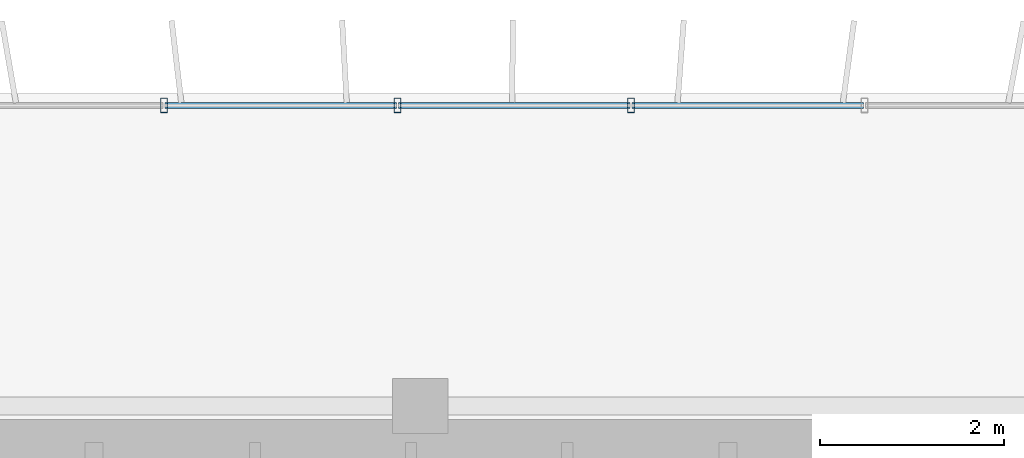
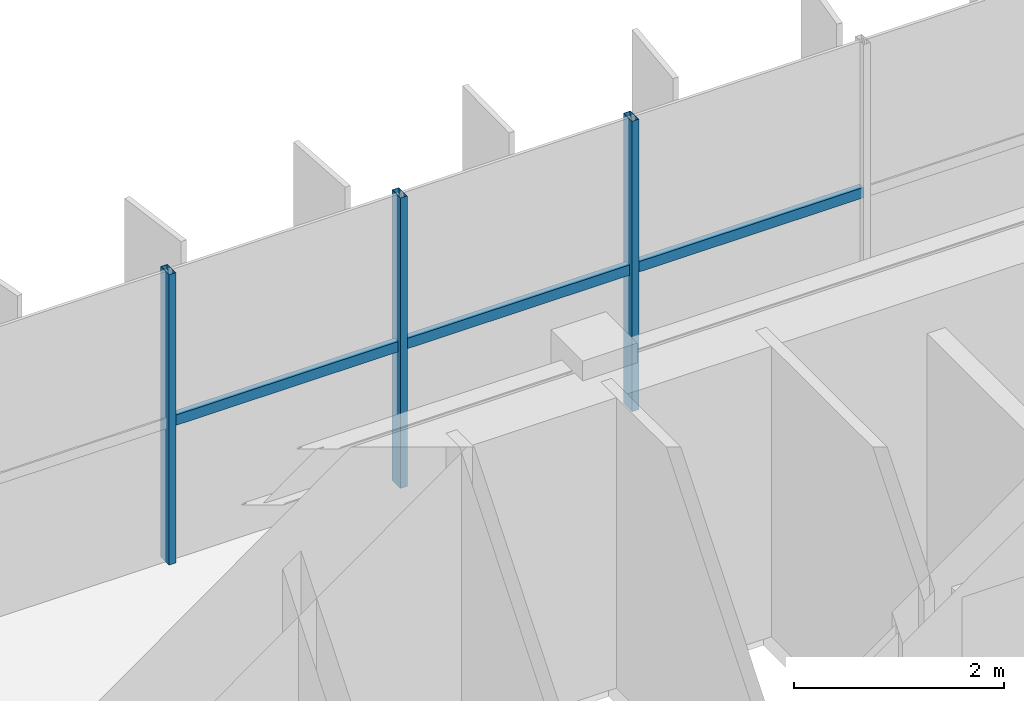
# One storey, part 11 of 22: 6 members, 1 element without a shape of its own.
"""IFC4 building model written with IfcOpenShell, lengths in metres."""

from ifc_helpers import new_model, si_unit, direction, frame, origin, origin_2d, place, context, subcontext, project, spatial, hollow_rectangle, extrude, source, transform, mapped, material, material_profile, profile_set, type_object, element, aggregate, save


model = new_model("IFC4")

# Units and contexts
model_context = context("Model", 3, precision=1e-05, world=origin(), true_north=direction((0.0, 1.0)))
body_context = subcontext(model_context, "Body", "Model", "MODEL_VIEW")
ifc_project = project(units=[si_unit("LENGTHUNIT", "METRE"), si_unit("AREAUNIT", "SQUARE_METRE"), si_unit("VOLUMEUNIT", "CUBIC_METRE"), si_unit("PLANEANGLEUNIT", "RADIAN"), si_unit("MASSUNIT", "GRAM", prefix="KILO")], contexts=[model_context])

# Site, building, storey
site_placement = place(None, origin())
site = spatial("IfcSite", under=ifc_project, at=site_placement, CompositionType="ELEMENT")
building_placement = place(site_placement, origin())
building = spatial("IfcBuilding", under=site, at=building_placement, Name="Trelvane Seafront Commons", CompositionType="ELEMENT")
storey_placement = place(building_placement, frame((0.0, 0.0, 273.89990234375)))
storey = spatial("IfcBuildingStorey", under=building, at=storey_placement, Name="L71", CompositionType="ELEMENT", Elevation=273.89990234375)

# Curtain wall, members
ifc_material = material(Name="Anodised pale-silver aluminium", Category="aluminium")
curtain_wall_type = type_object("IfcCurtainWallType", Name="ARCH-CW5-UPTOWER", PredefinedType="NOTDEFINED", material=ifc_material)
curtain_wall_placement = place(storey_placement, origin())
curtain_wall = element("IfcCurtainWall", 1, at=curtain_wall_placement, inside=storey, type_object=curtain_wall_type, Name="CW-L71-0115", PredefinedType="NOTDEFINED")
ifc_material_profile_1 = material_profile(ifc_material, hollow_rectangle(XDim=0.070068359375, YDim=0.1201171875, WallThickness=0.00390625, at=origin_2d()), Name="TRAN-70x120x4")
ifc_profile_set_1 = profile_set([ifc_material_profile_1], Name="Anodised pale-silver aluminium")
member_type_1 = type_object("IfcMemberType", Name="ARCH-CW-TRAN-120", PredefinedType="USERDEFINED", material=ifc_profile_set_1)
shared_shape_1 = source(origin(), body_context, "Body", "SweptSolid", [
    extrude(hollow_rectangle(XDim=0.070068359375, YDim=0.1201171875, WallThickness=0.00390625, at=origin_2d()), origin(), (0.0, 0.0, 1.0), 2.51708984375),
])
member_1_placement = place(storey_placement, frame((43.56494140625, 48.3701171875, 1.6181640625), z_axis=(1.0, 0.0, 0.0), x_axis=(0.0, 1.0, 0.0)))
member_1 = element("IfcMember", 2, at=member_1_placement, type_object=member_type_1, Name="CW-L71-0115-T11", ObjectType="TRANSOM", PredefinedType="USERDEFINED", context=body_context, shape_type="MappedRepresentation", body=[
    mapped(shared_shape_1, transform((0.0, 0.0, 0.0), x_axis=(1.0, 0.0, 0.0), y_axis=(0.0, 1.0, 0.0), z_axis=(0.0, 0.0, 1.0), scale=1.0)),
])
member_2_placement = place(storey_placement, frame((46.106201171875, 48.3701171875, 1.6181640625), z_axis=(1.0, 0.0, 0.0), x_axis=(0.0, 1.0, 0.0)))
member_2 = element("IfcMember", 3, at=member_2_placement, type_object=member_type_1, Name="CW-L71-0115-T12", ObjectType="TRANSOM", PredefinedType="USERDEFINED", context=body_context, shape_type="MappedRepresentation", body=[
    mapped(shared_shape_1, transform((0.0, 0.0, 0.0), x_axis=(1.0, 0.0, 0.0), y_axis=(0.0, 1.0, 0.0), z_axis=(0.0, 0.0, 1.0), scale=1.0)),
])
shared_shape_2 = source(origin(), body_context, "Body", "SweptSolid", [
    extrude(hollow_rectangle(XDim=0.070068359375, YDim=0.1201171875, WallThickness=0.00390625, at=origin_2d()), origin(), (0.0, 0.0, 1.0), 2.517333984375),
])
member_3_placement = place(storey_placement, frame((41.023681640625, 48.3701171875, 1.6181640625), z_axis=(1.0, 0.0, 0.0), x_axis=(0.0, 1.0, 0.0)))
member_3 = element("IfcMember", 4, at=member_3_placement, type_object=member_type_1, Name="CW-L71-0115-T10", ObjectType="TRANSOM", PredefinedType="USERDEFINED", context=body_context, shape_type="MappedRepresentation", body=[
    mapped(shared_shape_2, transform((0.0, 0.0, 0.0), x_axis=(1.0, 0.0, 0.0), y_axis=(0.0, 1.0, 0.0), z_axis=(0.0, 0.0, 1.0), scale=1.0)),
])
ifc_material_profile_2 = material_profile(ifc_material, hollow_rectangle(XDim=0.074951171875, YDim=0.159912109375, WallThickness=0.00390625, at=origin_2d()), Name="MULL-75x160x4")
ifc_profile_set_2 = profile_set([ifc_material_profile_2], Name="Anodised pale-silver aluminium")
member_type_2 = type_object("IfcMemberType", Name="ARCH-CW-MULL-160", PredefinedType="MULLION", material=ifc_profile_set_2)
shared_shape_3 = source(origin(), body_context, "Body", "SweptSolid", [
    extrude(hollow_rectangle(XDim=0.074951171875, YDim=0.159912109375, WallThickness=0.00390625, at=origin_2d()), origin(), (0.0, 0.0, 1.0), 3.3701171875),
])
member_4_placement = place(storey_placement, frame((41.01171875, 48.3701171875, 0.0), z_axis=(0.0, 0.0, 1.0), x_axis=(1.0, 0.0, 0.0)))
member_4 = element("IfcMember", 5, at=member_4_placement, type_object=member_type_2, Name="CW-L71-0115-M10", PredefinedType="MULLION", context=body_context, shape_type="MappedRepresentation", body=[
    mapped(shared_shape_3, transform((0.0, 0.0, 0.0), x_axis=(1.0, 0.0, 0.0), y_axis=(0.0, 1.0, 0.0), z_axis=(0.0, 0.0, 1.0), scale=1.0)),
])
member_5_placement = place(storey_placement, frame((43.552978515625, 48.3701171875, 0.0), z_axis=(0.0, 0.0, 1.0), x_axis=(1.0, 0.0, 0.0)))
member_5 = element("IfcMember", 6, at=member_5_placement, type_object=member_type_2, Name="CW-L71-0115-M11", PredefinedType="MULLION", context=body_context, shape_type="MappedRepresentation", body=[
    mapped(shared_shape_3, transform((0.0, 0.0, 0.0), x_axis=(1.0, 0.0, 0.0), y_axis=(0.0, 1.0, 0.0), z_axis=(0.0, 0.0, 1.0), scale=1.0)),
])
member_6_placement = place(storey_placement, frame((46.093994140625, 48.3701171875, 0.0), z_axis=(0.0, 0.0, 1.0), x_axis=(1.0, 0.0, 0.0)))
member_6 = element("IfcMember", 7, at=member_6_placement, type_object=member_type_2, Name="CW-L71-0115-M12", PredefinedType="MULLION", context=body_context, shape_type="MappedRepresentation", body=[
    mapped(shared_shape_3, transform((0.0, 0.0, 0.0), x_axis=(1.0, 0.0, 0.0), y_axis=(0.0, 1.0, 0.0), z_axis=(0.0, 0.0, 1.0), scale=1.0)),
])
aggregate(curtain_wall, [member_4, member_5, member_6, member_3, member_1, member_2])

save(model, "model.ifc")
